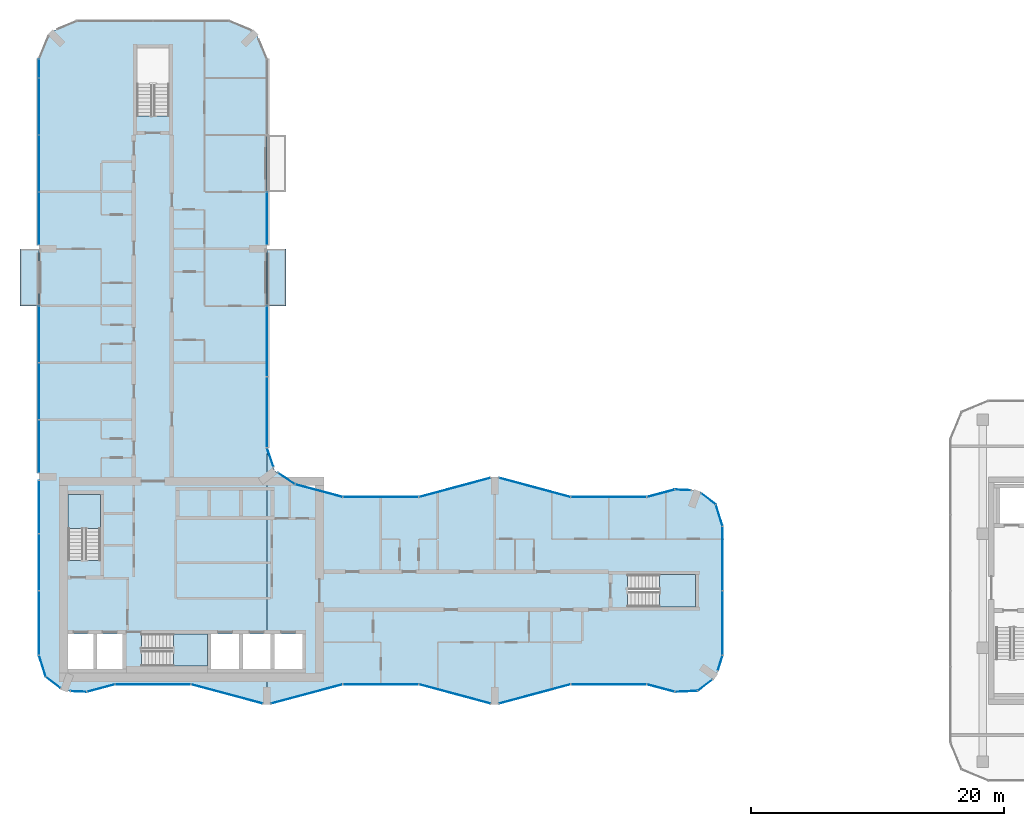
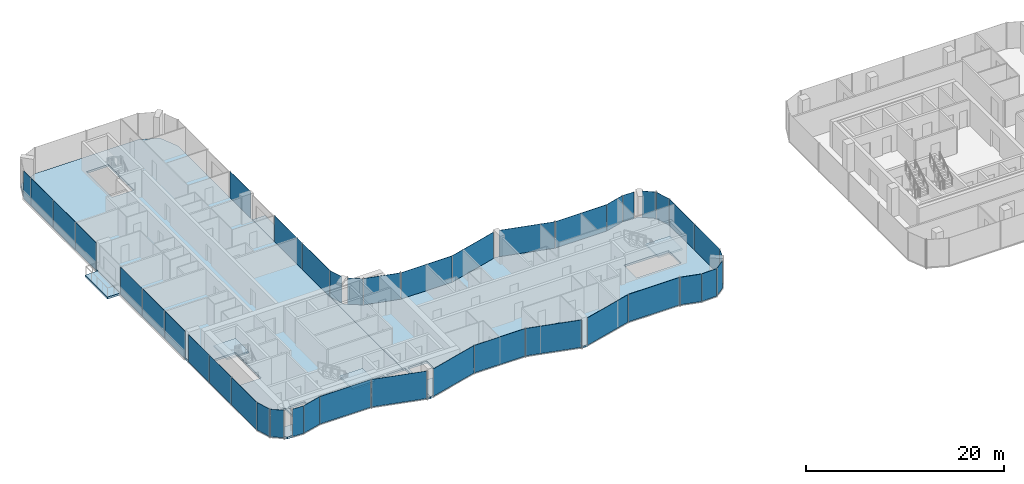
# One storey, part 11 of 22: 41 plates, 7 slabs, 35 elements without a shape of their own.
"""IFC4 building model written with IfcOpenShell, lengths in metres."""

from ifc_helpers import new_model, si_unit, direction, frame, origin, origin_2d, place, context, subcontext, project, spatial, polyline, rectangle, outline, extrude, material, layer, layer_set, type_object, element, aggregate, save


model = new_model("IFC4")

# Units and contexts
model_context = context("Model", 3, precision=1e-05, world=origin(), true_north=direction((0.0, 1.0)))
body_context = subcontext(model_context, "Body", "Model", "MODEL_VIEW")
ifc_project = project(units=[si_unit("LENGTHUNIT", "METRE"), si_unit("AREAUNIT", "SQUARE_METRE"), si_unit("VOLUMEUNIT", "CUBIC_METRE"), si_unit("PLANEANGLEUNIT", "RADIAN"), si_unit("MASSUNIT", "GRAM", prefix="KILO")], contexts=[model_context])

# Site, building, storey
site_placement = place(None, origin())
site = spatial("IfcSite", under=ifc_project, at=site_placement, CompositionType="ELEMENT")
building_placement = place(site_placement, origin())
building = spatial("IfcBuilding", under=site, at=building_placement, Name="Plateau Cross Towers", CompositionType="ELEMENT")
storey_placement = place(building_placement, frame((0.0, 0.0, 65.300048828125)))
storey = spatial("IfcBuildingStorey", under=building, at=storey_placement, Name="L16", CompositionType="ELEMENT", Elevation=65.300048828125)

# Slabs
ifc_material_1 = material(Name="Concrete C40/50", Category="concrete")
ifc_layer_1 = layer(ifc_material_1, 0.25)
ifc_layer_set_1 = layer_set([ifc_layer_1], Name="Concrete C40/50")
slab_type_1 = type_object("IfcSlabType", Name="Balcony slab 250", PredefinedType="FLOOR", material=ifc_layer_set_1)
slab_1_placement = place(storey_placement, frame((0.0, 0.0, -0.25)))
element("IfcSlab", 1, at=slab_1_placement, inside=storey, type_object=slab_type_1, Name="Balcony slab A-BAL-L16-01", PredefinedType="FLOOR", context=body_context, shape_type="SweptSolid", body=[
    extrude(outline(polyline([(0.0, 31.5), (0.0, 36.0), (-1.5, 36.0), (-1.5, 31.5), (0.0, 31.5)])), origin(), (0.0, 0.0, 1.0), 0.25),
])
slab_2_placement = place(storey_placement, frame((0.0, 0.0, -0.25)))
element("IfcSlab", 2, at=slab_2_placement, inside=storey, type_object=slab_type_1, Name="Balcony slab A-BAL-L16-02", PredefinedType="FLOOR", context=body_context, shape_type="SweptSolid", body=[
    extrude(outline(polyline([(19.5, 31.5), (19.5, 36.0), (18.0, 36.0), (18.0, 31.5), (19.5, 31.5)])), origin(), (0.0, 0.0, 1.0), 0.25),
])

# Curtain wall, plate
ifc_material_2 = material(Name="Dark low-iron glass", Category="glass")
ifc_layer_2 = layer(ifc_material_2, 0.239990234375)
ifc_layer_set_2 = layer_set([ifc_layer_2], Name="Dark low-iron glass")
curtain_wall_type_1 = type_object("IfcCurtainWallType", Name="Curtain wall flush unitised CW-B", PredefinedType="NOTDEFINED", material=ifc_layer_set_2)
curtain_wall_1_placement = place(storey_placement, origin())
curtain_wall_1 = element("IfcCurtainWall", 3, at=curtain_wall_1_placement, inside=storey, type_object=curtain_wall_type_1, Name="ENV/A/L16/A502_10", PredefinedType="NOTDEFINED")
ifc_layer_3 = layer(ifc_material_2, 0.031982421875)
ifc_layer_set_3 = layer_set([ifc_layer_3], Name="Dark low-iron glass")
plate_type_1 = type_object("IfcPlateType", Name="Glass panel 32 flush unitised", PredefinedType="CURTAIN_PANEL", material=ifc_layer_set_3)
plate_1_placement = place(storey_placement, frame((51.125, 1.05078125, -0.1298828125), z_axis=(0.0, 0.0, 1.0), x_axis=(0.999043701491, 0.043722791671, 0.0)))
plate_1 = element("IfcPlate", 4, at=plate_1_placement, type_object=plate_type_1, Name="CW-B panel 1", PredefinedType="CURTAIN_PANEL", context=body_context, shape_type="SweptSolid", body=[
    extrude(rectangle(XDim=1.744140625, YDim=0.031982421875, at=origin_2d()), origin(), (0.0, 0.0, 1.0), 3.3798828125),
])
aggregate(curtain_wall_1, [plate_1])

curtain_wall_2_placement = place(storey_placement, origin())
curtain_wall_2 = element("IfcCurtainWall", 5, at=curtain_wall_2_placement, inside=storey, type_object=curtain_wall_type_1, Name="ENV/A/L16/A520_11", PredefinedType="NOTDEFINED")
plate_2_placement = place(storey_placement, frame((52.60986328125, 1.5380859375, -0.1298828125), z_axis=(0.0, 0.0, 1.0), x_axis=(0.793315514529, 0.608810721331, 0.0)))
plate_2 = element("IfcPlate", 6, at=plate_2_placement, type_object=plate_type_1, Name="CW-B panel 1", PredefinedType="CURTAIN_PANEL", context=body_context, shape_type="SweptSolid", body=[
    extrude(rectangle(XDim=1.41162109375, YDim=0.031982421875, at=origin_2d()), origin(), (0.0, 0.0, 1.0), 3.3798828125),
])
aggregate(curtain_wall_2, [plate_2])

curtain_wall_3_placement = place(storey_placement, origin())
curtain_wall_3 = element("IfcCurtainWall", 7, at=curtain_wall_3_placement, inside=storey, type_object=curtain_wall_type_1, Name="ENV/A/L16/A536_27", PredefinedType="NOTDEFINED")
plate_3_placement = place(storey_placement, frame((53.805419921875, 3.292236328125, -0.1298828125), z_axis=(0.0, 0.0, 1.0), x_axis=(0.300686174994, 0.95372313811, 0.0)))
plate_3 = element("IfcPlate", 8, at=plate_3_placement, type_object=plate_type_1, Name="CW-B panel 1", PredefinedType="CURTAIN_PANEL", context=body_context, shape_type="SweptSolid", body=[
    extrude(rectangle(XDim=1.233642578125, YDim=0.031982421875, at=origin_2d()), origin(), (0.0, 0.0, 1.0), 3.3798828125),
])
aggregate(curtain_wall_3, [plate_3])

# Curtain wall, plates
curtain_wall_4_placement = place(storey_placement, origin())
curtain_wall_4 = element("IfcCurtainWall", 9, at=curtain_wall_4_placement, inside=storey, type_object=curtain_wall_type_1, Name="ENV/A/L16/A540_39", PredefinedType="NOTDEFINED")
plate_4_placement = place(storey_placement, frame((54.0, 6.45458984375, -0.1298828125), z_axis=(0.0, 0.0, 1.0), x_axis=(0.0, 1.0, 0.0)))
plate_4 = element("IfcPlate", 10, at=plate_4_placement, type_object=plate_type_1, Name="CW-B panel 1", PredefinedType="CURTAIN_PANEL", context=body_context, shape_type="SweptSolid", body=[
    extrude(rectangle(XDim=5.03076171875, YDim=0.031982421875, at=origin_2d()), origin(), (0.0, 0.0, 1.0), 3.3798828125),
])
plate_5_placement = place(storey_placement, frame((54.0, 11.54541015625, -0.1298828125), z_axis=(0.0, 0.0, 1.0), x_axis=(0.0, 1.0, 0.0)))
plate_5 = element("IfcPlate", 11, at=plate_5_placement, type_object=plate_type_1, Name="CW-B panel 2", PredefinedType="CURTAIN_PANEL", context=body_context, shape_type="SweptSolid", body=[
    extrude(rectangle(XDim=5.03076171875, YDim=0.031982421875, at=origin_2d()), origin(), (0.0, 0.0, 1.0), 3.3798828125),
])
aggregate(curtain_wall_4, [plate_4, plate_5])

# Curtain wall, plate
curtain_wall_5_placement = place(storey_placement, origin())
curtain_wall_5 = element("IfcCurtainWall", 12, at=curtain_wall_5_placement, inside=storey, type_object=curtain_wall_type_1, Name="ENV/A/L16/A540_141", PredefinedType="NOTDEFINED")
plate_6_placement = place(storey_placement, frame((53.728759765625, 14.951171875, -0.1298828125), z_axis=(0.0, 0.0, 1.0), x_axis=(-0.300686174994, 0.95372313811, 0.0)))
plate_6 = element("IfcPlate", 13, at=plate_6_placement, type_object=plate_type_1, Name="CW-B panel 1", PredefinedType="CURTAIN_PANEL", context=body_context, shape_type="SweptSolid", body=[
    extrude(rectangle(XDim=1.744140625, YDim=0.031982421875, at=origin_2d()), origin(), (0.0, 0.0, 1.0), 3.3798828125),
])
aggregate(curtain_wall_5, [plate_6])

curtain_wall_6_placement = place(storey_placement, origin())
curtain_wall_6 = element("IfcCurtainWall", 14, at=curtain_wall_6_placement, inside=storey, type_object=curtain_wall_type_1, Name="ENV/A/L16/A535_158", PredefinedType="NOTDEFINED")
plate_7_placement = place(storey_placement, frame((52.873779296875, 16.25927734375, -0.1298828125), z_axis=(0.0, 0.0, 1.0), x_axis=(-0.793315514529, 0.608810721331, 0.0)))
plate_7 = element("IfcPlate", 15, at=plate_7_placement, type_object=plate_type_1, Name="CW-B panel 1", PredefinedType="CURTAIN_PANEL", context=body_context, shape_type="SweptSolid", body=[
    extrude(rectangle(XDim=1.41162109375, YDim=0.031982421875, at=origin_2d()), origin(), (0.0, 0.0, 1.0), 3.3798828125),
])
aggregate(curtain_wall_6, [plate_7])

curtain_wall_7_placement = place(storey_placement, origin())
curtain_wall_7 = element("IfcCurtainWall", 16, at=curtain_wall_7_placement, inside=storey, type_object=curtain_wall_type_1, Name="ENV/A/L16/A515_169", PredefinedType="NOTDEFINED")
plate_8_placement = place(storey_placement, frame((50.8701171875, 16.96044921875, -0.1298828125), z_axis=(0.0, 0.0, 1.0), x_axis=(-0.999043701491, 0.043722791671, 0.0)))
plate_8 = element("IfcPlate", 17, at=plate_8_placement, type_object=plate_type_1, Name="CW-B panel 1", PredefinedType="CURTAIN_PANEL", context=body_context, shape_type="SweptSolid", body=[
    extrude(rectangle(XDim=1.233642578125, YDim=0.031982421875, at=origin_2d()), origin(), (0.0, 0.0, 1.0), 3.3798828125),
])
aggregate(curtain_wall_7, [plate_8])

curtain_wall_8_placement = place(storey_placement, origin())
curtain_wall_8 = element("IfcCurtainWall", 18, at=curtain_wall_8_placement, inside=storey, type_object=curtain_wall_type_1, Name="ENV/A/L16/A202_174", PredefinedType="NOTDEFINED")
plate_9_placement = place(storey_placement, frame((19.546630859375, 17.856689453125, -0.1298828125), z_axis=(0.0, 0.0, 1.0), x_axis=(-0.831521253329, 0.555492938984, 0.0)))
plate_9 = element("IfcPlate", 19, at=plate_9_placement, type_object=plate_type_1, Name="CW-B panel 1", PredefinedType="CURTAIN_PANEL", context=body_context, shape_type="SweptSolid", body=[
    extrude(rectangle(XDim=1.56884765625, YDim=0.031982421875, at=origin_2d()), origin(), (0.0, 0.0, 1.0), 3.3798828125),
])
aggregate(curtain_wall_8, [plate_9])

curtain_wall_9_placement = place(storey_placement, origin())
curtain_wall_9 = element("IfcCurtainWall", 20, at=curtain_wall_9_placement, inside=storey, type_object=curtain_wall_type_1, Name="ENV/A/L16/A185_188", PredefinedType="NOTDEFINED")
plate_10_placement = place(storey_placement, frame((18.26171875, 19.531005859375, -0.1298828125), z_axis=(0.0, 0.0, 1.0), x_axis=(-0.321469161574, 0.94692004845, 0.0)))
plate_10 = element("IfcPlate", 21, at=plate_10_placement, type_object=plate_type_1, Name="CW-B panel 1", PredefinedType="CURTAIN_PANEL", context=body_context, shape_type="SweptSolid", body=[
    extrude(rectangle(XDim=1.56884765625, YDim=0.031982421875, at=origin_2d()), origin(), (0.0, 0.0, 1.0), 3.3798828125),
])
aggregate(curtain_wall_9, [plate_10])

# Curtain wall, plates
curtain_wall_10_placement = place(storey_placement, origin())
curtain_wall_10 = element("IfcCurtainWall", 22, at=curtain_wall_10_placement, inside=storey, type_object=curtain_wall_type_1, Name="ENV/A/L16/A180_203", PredefinedType="NOTDEFINED")
plate_11_placement = place(storey_placement, frame((18.0, 23.09912109375, -0.1298828125), z_axis=(0.0, 0.0, 1.0), x_axis=(0.0, 1.0, 0.0)))
plate_11 = element("IfcPlate", 23, at=plate_11_placement, type_object=plate_type_1, Name="CW-B panel 1", PredefinedType="CURTAIN_PANEL", context=body_context, shape_type="SweptSolid", body=[
    extrude(rectangle(XDim=5.533935546875, YDim=0.031982421875, at=origin_2d()), origin(), (0.0, 0.0, 1.0), 3.3798828125),
])
plate_12_placement = place(storey_placement, frame((18.0, 28.693115234375, -0.1298828125), z_axis=(0.0, 0.0, 1.0), x_axis=(0.0, 1.0, 0.0)))
plate_12 = element("IfcPlate", 24, at=plate_12_placement, type_object=plate_type_1, Name="CW-B panel 2", PredefinedType="CURTAIN_PANEL", context=body_context, shape_type="SweptSolid", body=[
    extrude(rectangle(XDim=5.533935546875, YDim=0.031982421875, at=origin_2d()), origin(), (0.0, 0.0, 1.0), 3.3798828125),
])
aggregate(curtain_wall_10, [plate_11, plate_12])

# Curtain wall, plate
curtain_wall_11_placement = place(storey_placement, origin())
curtain_wall_11 = element("IfcCurtainWall", 25, at=curtain_wall_11_placement, inside=storey, type_object=curtain_wall_type_1, Name="ENV/A/L16/A180_363", PredefinedType="NOTDEFINED")
plate_13_placement = place(storey_placement, frame((18.0, 38.39501953125, -0.1298828125), z_axis=(0.0, 0.0, 1.0), x_axis=(0.0, 1.0, 0.0)))
plate_13 = element("IfcPlate", 26, at=plate_13_placement, type_object=plate_type_1, Name="CW-B panel 1", PredefinedType="CURTAIN_PANEL", context=body_context, shape_type="SweptSolid", body=[
    extrude(rectangle(XDim=4.1298828125, YDim=0.031982421875, at=origin_2d()), origin(), (0.0, 0.0, 1.0), 3.3798828125),
])
aggregate(curtain_wall_11, [plate_13])

# Curtain wall, plates
curtain_wall_12_placement = place(storey_placement, origin())
curtain_wall_12 = element("IfcCurtainWall", 27, at=curtain_wall_12_placement, inside=storey, type_object=curtain_wall_type_1, Name="ENV/A/L16/A0_510", PredefinedType="NOTDEFINED")
plate_14_placement = place(storey_placement, frame((0.0, 50.25, -0.1298828125), z_axis=(0.0, 0.0, 1.0), x_axis=(0.0, -1.0, 0.0)))
plate_14 = element("IfcPlate", 28, at=plate_14_placement, type_object=plate_type_1, Name="CW-B panel 1", PredefinedType="CURTAIN_PANEL", context=body_context, shape_type="SweptSolid", body=[
    extrude(rectangle(XDim=1.43994140625, YDim=0.031982421875, at=origin_2d()), origin(), (0.0, 0.0, 1.0), 3.3798828125),
])
plate_15_placement = place(storey_placement, frame((0.0, 47.25, -0.1298828125), z_axis=(0.0, 0.0, 1.0), x_axis=(0.0, -1.0, 0.0)))
plate_15 = element("IfcPlate", 29, at=plate_15_placement, type_object=plate_type_1, Name="CW-B panel 2", PredefinedType="CURTAIN_PANEL", context=body_context, shape_type="SweptSolid", body=[
    extrude(rectangle(XDim=4.43994140625, YDim=0.031982421875, at=origin_2d()), origin(), (0.0, 0.0, 1.0), 3.3798828125),
])
plate_16_placement = place(storey_placement, frame((0.0, 42.75, -0.1298828125), z_axis=(0.0, 0.0, 1.0), x_axis=(0.0, -1.0, 0.0)))
plate_16 = element("IfcPlate", 30, at=plate_16_placement, type_object=plate_type_1, Name="CW-B panel 3", PredefinedType="CURTAIN_PANEL", context=body_context, shape_type="SweptSolid", body=[
    extrude(rectangle(XDim=4.43994140625, YDim=0.031982421875, at=origin_2d()), origin(), (0.0, 0.0, 1.0), 3.3798828125),
])
plate_17_placement = place(storey_placement, frame((0.0, 38.39990234375, -0.1298828125), z_axis=(0.0, 0.0, 1.0), x_axis=(0.0, -1.0, 0.0)))
plate_17 = element("IfcPlate", 31, at=plate_17_placement, type_object=plate_type_1, Name="CW-B panel 4", PredefinedType="CURTAIN_PANEL", context=body_context, shape_type="SweptSolid", body=[
    extrude(rectangle(XDim=4.139892578125, YDim=0.031982421875, at=origin_2d()), origin(), (0.0, 0.0, 1.0), 3.3798828125),
])
aggregate(curtain_wall_12, [plate_14, plate_15, plate_16, plate_17])

curtain_wall_13_placement = place(storey_placement, origin())
curtain_wall_13 = element("IfcCurtainWall", 32, at=curtain_wall_13_placement, inside=storey, type_object=curtain_wall_type_1, Name="ENV/A/L16/A0_315", PredefinedType="NOTDEFINED")
plate_18_placement = place(storey_placement, frame((0.0, 29.2451171875, -0.1298828125), z_axis=(0.0, 0.0, 1.0), x_axis=(0.0, -1.0, 0.0)))
plate_18 = element("IfcPlate", 33, at=plate_18_placement, type_object=plate_type_1, Name="CW-B panel 1", PredefinedType="CURTAIN_PANEL", context=body_context, shape_type="SweptSolid", body=[
    extrude(rectangle(XDim=4.429931640625, YDim=0.031982421875, at=origin_2d()), origin(), (0.0, 0.0, 1.0), 3.3798828125),
])
plate_19_placement = place(storey_placement, frame((0.0, 24.75, -0.1298828125), z_axis=(0.0, 0.0, 1.0), x_axis=(0.0, -1.0, 0.0)))
plate_19 = element("IfcPlate", 34, at=plate_19_placement, type_object=plate_type_1, Name="CW-B panel 2", PredefinedType="CURTAIN_PANEL", context=body_context, shape_type="SweptSolid", body=[
    extrude(rectangle(XDim=4.43994140625, YDim=0.031982421875, at=origin_2d()), origin(), (0.0, 0.0, 1.0), 3.3798828125),
])
plate_20_placement = place(storey_placement, frame((0.0, 20.39990234375, -0.1298828125), z_axis=(0.0, 0.0, 1.0), x_axis=(0.0, -1.0, 0.0)))
plate_20 = element("IfcPlate", 35, at=plate_20_placement, type_object=plate_type_1, Name="CW-B panel 3", PredefinedType="CURTAIN_PANEL", context=body_context, shape_type="SweptSolid", body=[
    extrude(rectangle(XDim=4.139892578125, YDim=0.031982421875, at=origin_2d()), origin(), (0.0, 0.0, 1.0), 3.3798828125),
])
aggregate(curtain_wall_13, [plate_18, plate_19, plate_20])

curtain_wall_14_placement = place(storey_placement, origin())
curtain_wall_14 = element("IfcCurtainWall", 36, at=curtain_wall_14_placement, inside=storey, type_object=curtain_wall_type_1, Name="ENV/A/L16/A0_177", PredefinedType="NOTDEFINED")
plate_21_placement = place(storey_placement, frame((0.0, 15.60009765625, -0.1298828125), z_axis=(0.0, 0.0, 1.0), x_axis=(0.0, -1.0, 0.0)))
plate_21 = element("IfcPlate", 37, at=plate_21_placement, type_object=plate_type_1, Name="CW-B panel 1", PredefinedType="CURTAIN_PANEL", context=body_context, shape_type="SweptSolid", body=[
    extrude(rectangle(XDim=4.139892578125, YDim=0.031982421875, at=origin_2d()), origin(), (0.0, 0.0, 1.0), 3.3798828125),
])
plate_22_placement = place(storey_placement, frame((0.0, 11.25, -0.1298828125), z_axis=(0.0, 0.0, 1.0), x_axis=(0.0, -1.0, 0.0)))
plate_22 = element("IfcPlate", 38, at=plate_22_placement, type_object=plate_type_1, Name="CW-B panel 2", PredefinedType="CURTAIN_PANEL", context=body_context, shape_type="SweptSolid", body=[
    extrude(rectangle(XDim=4.43994140625, YDim=0.031982421875, at=origin_2d()), origin(), (0.0, 0.0, 1.0), 3.3798828125),
])
plate_23_placement = place(storey_placement, frame((0.0, 6.45458984375, -0.1298828125), z_axis=(0.0, 0.0, 1.0), x_axis=(0.0, -1.0, 0.0)))
plate_23 = element("IfcPlate", 39, at=plate_23_placement, type_object=plate_type_1, Name="CW-B panel 3", PredefinedType="CURTAIN_PANEL", context=body_context, shape_type="SweptSolid", body=[
    extrude(rectangle(XDim=5.03076171875, YDim=0.031982421875, at=origin_2d()), origin(), (0.0, 0.0, 1.0), 3.3798828125),
])
aggregate(curtain_wall_14, [plate_21, plate_22, plate_23])

# Curtain wall, plate
curtain_wall_15_placement = place(storey_placement, origin())
curtain_wall_15 = element("IfcCurtainWall", 40, at=curtain_wall_15_placement, inside=storey, type_object=curtain_wall_type_1, Name="ENV/A/L16/A0_39", PredefinedType="NOTDEFINED")
plate_24_placement = place(storey_placement, frame((0.271240234375, 3.048828125, -0.1298828125), z_axis=(0.0, 0.0, 1.0), x_axis=(0.300686174994, -0.95372313811, 0.0)))
plate_24 = element("IfcPlate", 41, at=plate_24_placement, type_object=plate_type_1, Name="CW-B panel 1", PredefinedType="CURTAIN_PANEL", context=body_context, shape_type="SweptSolid", body=[
    extrude(rectangle(XDim=1.744140625, YDim=0.031982421875, at=origin_2d()), origin(), (0.0, 0.0, 1.0), 3.3798828125),
])
aggregate(curtain_wall_15, [plate_24])

curtain_wall_16_placement = place(storey_placement, origin())
curtain_wall_16 = element("IfcCurtainWall", 42, at=curtain_wall_16_placement, inside=storey, type_object=curtain_wall_type_1, Name="ENV/A/L16/A5_22", PredefinedType="NOTDEFINED")
plate_25_placement = place(storey_placement, frame((1.126220703125, 1.74072265625, -0.1298828125), z_axis=(0.0, 0.0, 1.0), x_axis=(0.793315514529, -0.608810721331, 0.0)))
plate_25 = element("IfcPlate", 43, at=plate_25_placement, type_object=plate_type_1, Name="CW-B panel 1", PredefinedType="CURTAIN_PANEL", context=body_context, shape_type="SweptSolid", body=[
    extrude(rectangle(XDim=1.41162109375, YDim=0.031982421875, at=origin_2d()), origin(), (0.0, 0.0, 1.0), 3.3798828125),
])
aggregate(curtain_wall_16, [plate_25])

curtain_wall_17_placement = place(storey_placement, origin())
curtain_wall_17 = element("IfcCurtainWall", 44, at=curtain_wall_17_placement, inside=storey, type_object=curtain_wall_type_1, Name="ENV/A/L16/A25_11", PredefinedType="NOTDEFINED")
plate_26_placement = place(storey_placement, frame((3.1298828125, 1.03955078125, -0.1298828125), z_axis=(0.0, 0.0, 1.0), x_axis=(0.999043701491, -0.043722791671, 0.0)))
plate_26 = element("IfcPlate", 45, at=plate_26_placement, type_object=plate_type_1, Name="CW-B panel 1", PredefinedType="CURTAIN_PANEL", context=body_context, shape_type="SweptSolid", body=[
    extrude(rectangle(XDim=1.233642578125, YDim=0.031982421875, at=origin_2d()), origin(), (0.0, 0.0, 1.0), 3.3798828125),
])
aggregate(curtain_wall_17, [plate_26])

ifc_layer_4 = layer(ifc_material_2, 0.260009765625)
ifc_layer_set_4 = layer_set([ifc_layer_4], Name="Dark low-iron glass")
curtain_wall_type_2 = type_object("IfcCurtainWallType", Name="Curtain wall fluted unitised CW-A", PredefinedType="NOTDEFINED", material=ifc_layer_set_4)
curtain_wall_18_placement = place(storey_placement, origin())
curtain_wall_18 = element("IfcCurtainWall", 46, at=curtain_wall_18_placement, inside=storey, type_object=curtain_wall_type_2, Name="ENV/A/L16/A38_10", PredefinedType="NOTDEFINED")
ifc_layer_5 = layer(ifc_material_2, 0.035888671875)
ifc_layer_set_5 = layer_set([ifc_layer_5], Name="Dark low-iron glass")
plate_type_2 = type_object("IfcPlateType", Name="Glass panel 36 fluted unitised", PredefinedType="CURTAIN_PANEL", material=ifc_layer_set_5)
plate_27_placement = place(storey_placement, frame((4.887939453125, 1.30908203125, -0.1298828125), z_axis=(0.0, 0.0, 1.0), x_axis=(0.965957962328, 0.258699081978, 0.0)))
plate_27 = element("IfcPlate", 47, at=plate_27_placement, type_object=plate_type_2, Name="CW-A panel 1", PredefinedType="CURTAIN_PANEL", context=body_context, shape_type="SweptSolid", body=[
    extrude(rectangle(XDim=2.2421875, YDim=0.035888671875, at=origin_2d()), origin(), (0.0, 0.0, 1.0), 3.3798828125),
])
aggregate(curtain_wall_18, [plate_27])

curtain_wall_19_placement = place(storey_placement, origin())
curtain_wall_19 = element("IfcCurtainWall", 48, at=curtain_wall_19_placement, inside=storey, type_object=curtain_wall_type_2, Name="ENV/A/L16/A60_16", PredefinedType="NOTDEFINED")
plate_28_placement = place(storey_placement, frame((9.0, 1.60693359375, -0.1298828125), z_axis=(0.0, 0.0, 1.0), x_axis=(1.0, 0.0, 0.0)))
plate_28 = element("IfcPlate", 49, at=plate_28_placement, type_object=plate_type_2, Name="CW-A panel 1", PredefinedType="CURTAIN_PANEL", context=body_context, shape_type="SweptSolid", body=[
    extrude(rectangle(XDim=5.93994140625, YDim=0.035888671875, at=origin_2d()), origin(), (0.0, 0.0, 1.0), 3.3798828125),
])
aggregate(curtain_wall_19, [plate_28])

curtain_wall_20_placement = place(storey_placement, origin())
curtain_wall_20 = element("IfcCurtainWall", 50, at=curtain_wall_20_placement, inside=storey, type_object=curtain_wall_type_2, Name="ENV/A/L16/A120_16", PredefinedType="NOTDEFINED")
plate_29_placement = place(storey_placement, frame((14.841064453125, 0.845947265625, -0.1298828125), z_axis=(0.0, 0.0, 1.0), x_axis=(0.965957983404, -0.258699003279, 0.0)))
plate_29 = element("IfcPlate", 51, at=plate_29_placement, type_object=plate_type_2, Name="CW-A panel 1", PredefinedType="CURTAIN_PANEL", context=body_context, shape_type="SweptSolid", body=[
    extrude(rectangle(XDim=5.822265625, YDim=0.035888671875, at=origin_2d()), origin(), (0.0, 0.0, 1.0), 3.3798828125),
])
aggregate(curtain_wall_20, [plate_29])

curtain_wall_21_placement = place(storey_placement, origin())
curtain_wall_21 = element("IfcCurtainWall", 52, at=curtain_wall_21_placement, inside=storey, type_object=curtain_wall_type_2, Name="ENV/A/L16/A183_1", PredefinedType="NOTDEFINED")
plate_30_placement = place(storey_placement, frame((21.158935546875, 0.845947265625, -0.1298828125), z_axis=(0.0, 0.0, 1.0), x_axis=(0.965957983404, 0.258699003279, 0.0)))
plate_30 = element("IfcPlate", 53, at=plate_30_placement, type_object=plate_type_2, Name="CW-A panel 1", PredefinedType="CURTAIN_PANEL", context=body_context, shape_type="SweptSolid", body=[
    extrude(rectangle(XDim=5.822265625, YDim=0.035888671875, at=origin_2d()), origin(), (0.0, 0.0, 1.0), 3.3798828125),
])
aggregate(curtain_wall_21, [plate_30])

curtain_wall_22_placement = place(storey_placement, origin())
curtain_wall_22 = element("IfcCurtainWall", 54, at=curtain_wall_22_placement, inside=storey, type_object=curtain_wall_type_2, Name="ENV/A/L16/A240_16", PredefinedType="NOTDEFINED")
plate_31_placement = place(storey_placement, frame((27.0, 1.60693359375, -0.1298828125), z_axis=(0.0, 0.0, 1.0), x_axis=(1.0, 0.0, 0.0)))
plate_31 = element("IfcPlate", 55, at=plate_31_placement, type_object=plate_type_2, Name="CW-A panel 1", PredefinedType="CURTAIN_PANEL", context=body_context, shape_type="SweptSolid", body=[
    extrude(rectangle(XDim=5.93994140625, YDim=0.035888671875, at=origin_2d()), origin(), (0.0, 0.0, 1.0), 3.3798828125),
])
aggregate(curtain_wall_22, [plate_31])

curtain_wall_23_placement = place(storey_placement, origin())
curtain_wall_23 = element("IfcCurtainWall", 56, at=curtain_wall_23_placement, inside=storey, type_object=curtain_wall_type_2, Name="ENV/A/L16/A300_16", PredefinedType="NOTDEFINED")
plate_32_placement = place(storey_placement, frame((32.841064453125, 0.845947265625, -0.1298828125), z_axis=(0.0, 0.0, 1.0), x_axis=(0.965957983404, -0.258699003279, 0.0)))
plate_32 = element("IfcPlate", 57, at=plate_32_placement, type_object=plate_type_2, Name="CW-A panel 1", PredefinedType="CURTAIN_PANEL", context=body_context, shape_type="SweptSolid", body=[
    extrude(rectangle(XDim=5.822265625, YDim=0.035888671875, at=origin_2d()), origin(), (0.0, 0.0, 1.0), 3.3798828125),
])
aggregate(curtain_wall_23, [plate_32])

curtain_wall_24_placement = place(storey_placement, origin())
curtain_wall_24 = element("IfcCurtainWall", 58, at=curtain_wall_24_placement, inside=storey, type_object=curtain_wall_type_2, Name="ENV/A/L16/A363_1", PredefinedType="NOTDEFINED")
plate_33_placement = place(storey_placement, frame((39.158935546875, 0.845947265625, -0.1298828125), z_axis=(0.0, 0.0, 1.0), x_axis=(0.965957983404, 0.258699003279, 0.0)))
plate_33 = element("IfcPlate", 59, at=plate_33_placement, type_object=plate_type_2, Name="CW-A panel 1", PredefinedType="CURTAIN_PANEL", context=body_context, shape_type="SweptSolid", body=[
    extrude(rectangle(XDim=5.822265625, YDim=0.035888671875, at=origin_2d()), origin(), (0.0, 0.0, 1.0), 3.3798828125),
])
aggregate(curtain_wall_24, [plate_33])

curtain_wall_25_placement = place(storey_placement, origin())
curtain_wall_25 = element("IfcCurtainWall", 60, at=curtain_wall_25_placement, inside=storey, type_object=curtain_wall_type_2, Name="ENV/A/L16/A420_16", PredefinedType="NOTDEFINED")
plate_34_placement = place(storey_placement, frame((45.0, 1.60693359375, -0.1298828125), z_axis=(0.0, 0.0, 1.0), x_axis=(1.0, 0.0, 0.0)))
plate_34 = element("IfcPlate", 61, at=plate_34_placement, type_object=plate_type_2, Name="CW-A panel 1", PredefinedType="CURTAIN_PANEL", context=body_context, shape_type="SweptSolid", body=[
    extrude(rectangle(XDim=5.93994140625, YDim=0.035888671875, at=origin_2d()), origin(), (0.0, 0.0, 1.0), 3.3798828125),
])
aggregate(curtain_wall_25, [plate_34])

curtain_wall_26_placement = place(storey_placement, origin())
curtain_wall_26 = element("IfcCurtainWall", 62, at=curtain_wall_26_placement, inside=storey, type_object=curtain_wall_type_2, Name="ENV/A/L16/A480_16", PredefinedType="NOTDEFINED")
plate_35_placement = place(storey_placement, frame((49.112060546875, 1.30908203125, -0.1298828125), z_axis=(0.0, 0.0, 1.0), x_axis=(0.965957962328, -0.258699081978, 0.0)))
plate_35 = element("IfcPlate", 63, at=plate_35_placement, type_object=plate_type_2, Name="CW-A panel 1", PredefinedType="CURTAIN_PANEL", context=body_context, shape_type="SweptSolid", body=[
    extrude(rectangle(XDim=2.2421875, YDim=0.035888671875, at=origin_2d()), origin(), (0.0, 0.0, 1.0), 3.3798828125),
])
aggregate(curtain_wall_26, [plate_35])

curtain_wall_27_placement = place(storey_placement, origin())
curtain_wall_27 = element("IfcCurtainWall", 64, at=curtain_wall_27_placement, inside=storey, type_object=curtain_wall_type_2, Name="ENV/A/L16/A502_170", PredefinedType="NOTDEFINED")
plate_36_placement = place(storey_placement, frame((49.112060546875, 16.69091796875, -0.1298828125), z_axis=(0.0, 0.0, 1.0), x_axis=(-0.965957962328, -0.258699081978, 0.0)))
plate_36 = element("IfcPlate", 65, at=plate_36_placement, type_object=plate_type_2, Name="CW-A panel 1", PredefinedType="CURTAIN_PANEL", context=body_context, shape_type="SweptSolid", body=[
    extrude(rectangle(XDim=2.2421875, YDim=0.035888671875, at=origin_2d()), origin(), (0.0, 0.0, 1.0), 3.3798828125),
])
aggregate(curtain_wall_27, [plate_36])

curtain_wall_28_placement = place(storey_placement, origin())
curtain_wall_28 = element("IfcCurtainWall", 66, at=curtain_wall_28_placement, inside=storey, type_object=curtain_wall_type_2, Name="ENV/A/L16/A480_164", PredefinedType="NOTDEFINED")
plate_37_placement = place(storey_placement, frame((45.0, 16.39306640625, -0.1298828125), z_axis=(0.0, 0.0, 1.0), x_axis=(-1.0, 0.0, 0.0)))
plate_37 = element("IfcPlate", 67, at=plate_37_placement, type_object=plate_type_2, Name="CW-A panel 1", PredefinedType="CURTAIN_PANEL", context=body_context, shape_type="SweptSolid", body=[
    extrude(rectangle(XDim=5.93994140625, YDim=0.035888671875, at=origin_2d()), origin(), (0.0, 0.0, 1.0), 3.3798828125),
])
aggregate(curtain_wall_28, [plate_37])

curtain_wall_29_placement = place(storey_placement, origin())
curtain_wall_29 = element("IfcCurtainWall", 68, at=curtain_wall_29_placement, inside=storey, type_object=curtain_wall_type_2, Name="ENV/A/L16/A420_164", PredefinedType="NOTDEFINED")
plate_38_placement = place(storey_placement, frame((39.158935546875, 17.154052734375, -0.1298828125), z_axis=(0.0, 0.0, 1.0), x_axis=(-0.965957983404, 0.258699003279, 0.0)))
plate_38 = element("IfcPlate", 69, at=plate_38_placement, type_object=plate_type_2, Name="CW-A panel 1", PredefinedType="CURTAIN_PANEL", context=body_context, shape_type="SweptSolid", body=[
    extrude(rectangle(XDim=5.822265625, YDim=0.035888671875, at=origin_2d()), origin(), (0.0, 0.0, 1.0), 3.3798828125),
])
aggregate(curtain_wall_29, [plate_38])

curtain_wall_30_placement = place(storey_placement, origin())
curtain_wall_30 = element("IfcCurtainWall", 70, at=curtain_wall_30_placement, inside=storey, type_object=curtain_wall_type_2, Name="ENV/A/L16/A357_179", PredefinedType="NOTDEFINED")
plate_39_placement = place(storey_placement, frame((32.841064453125, 17.154052734375, -0.1298828125), z_axis=(0.0, 0.0, 1.0), x_axis=(-0.965957983404, -0.258699003279, 0.0)))
plate_39 = element("IfcPlate", 71, at=plate_39_placement, type_object=plate_type_2, Name="CW-A panel 1", PredefinedType="CURTAIN_PANEL", context=body_context, shape_type="SweptSolid", body=[
    extrude(rectangle(XDim=5.822265625, YDim=0.035888671875, at=origin_2d()), origin(), (0.0, 0.0, 1.0), 3.3798828125),
])
aggregate(curtain_wall_30, [plate_39])

curtain_wall_31_placement = place(storey_placement, origin())
curtain_wall_31 = element("IfcCurtainWall", 72, at=curtain_wall_31_placement, inside=storey, type_object=curtain_wall_type_2, Name="ENV/A/L16/A300_164", PredefinedType="NOTDEFINED")
plate_40_placement = place(storey_placement, frame((27.0, 16.39306640625, -0.1298828125), z_axis=(0.0, 0.0, 1.0), x_axis=(-1.0, 0.0, 0.0)))
plate_40 = element("IfcPlate", 73, at=plate_40_placement, type_object=plate_type_2, Name="CW-A panel 1", PredefinedType="CURTAIN_PANEL", context=body_context, shape_type="SweptSolid", body=[
    extrude(rectangle(XDim=5.93994140625, YDim=0.035888671875, at=origin_2d()), origin(), (0.0, 0.0, 1.0), 3.3798828125),
])
aggregate(curtain_wall_31, [plate_40])

curtain_wall_32_placement = place(storey_placement, origin())
curtain_wall_32 = element("IfcCurtainWall", 74, at=curtain_wall_32_placement, inside=storey, type_object=curtain_wall_type_2, Name="ENV/A/L16/A240_164", PredefinedType="NOTDEFINED")
plate_41_placement = place(storey_placement, frame((22.112060546875, 16.898681640625, -0.1298828125), z_axis=(0.0, 0.0, 1.0), x_axis=(-0.965957995816, 0.258698956933, 0.0)))
plate_41 = element("IfcPlate", 75, at=plate_41_placement, type_object=plate_type_2, Name="CW-A panel 1", PredefinedType="CURTAIN_PANEL", context=body_context, shape_type="SweptSolid", body=[
    extrude(rectangle(XDim=3.84912109375, YDim=0.035888671875, at=origin_2d()), origin(), (0.0, 0.0, 1.0), 3.3798828125),
])
aggregate(curtain_wall_32, [plate_41])

# Slabs
ifc_layer_6 = layer(ifc_material_1, 0.25)
ifc_layer_set_6 = layer_set([ifc_layer_6], Name="Concrete C40/50")
slab_type_2 = type_object("IfcSlabType", Name="Post-tensioned flat plate slab 250", PredefinedType="FLOOR", material=ifc_layer_set_6)
slab_3_placement = place(storey_placement, frame((0.0, 0.0, -0.25)))
element("IfcSlab", 76, at=slab_3_placement, inside=storey, type_object=slab_type_2, Name="SL-A-L16 1", PredefinedType="FLOOR", context=body_context, shape_type="SweptSolid", body=[
    extrude(outline(polyline([(0.54248046875, 2.1884765625), (0.0, 3.9091796875), (0.0, 51.0), (0.878662109375, 53.121337890625), (3.0, 54.0), (15.0, 54.0), (17.121337890625, 53.121337890625), (18.0, 51.0), (18.0, 20.30224609375), (18.0, 5.60009765625), (16.10009765625, 5.60009765625), (16.10009765625, 2.800048828125), (18.0, 2.800048828125), (18.0, 0.0), (12.0, 1.60693359375), (6.0, 1.60693359375), (3.776123046875, 1.01123046875), (1.9736328125, 1.090087890625), (0.54248046875, 2.1884765625)]), holes=[polyline([(4.300048828125, 5.60009765625), (2.300048828125, 5.60009765625), (2.300048828125, 2.800048828125), (4.300048828125, 2.800048828125), (4.300048828125, 5.60009765625)]), polyline([(6.60009765625, 5.60009765625), (4.60009765625, 5.60009765625), (4.60009765625, 2.800048828125), (6.60009765625, 2.800048828125), (6.60009765625, 5.60009765625)]), polyline([(15.800048828125, 5.60009765625), (13.60009765625, 5.60009765625), (13.60009765625, 2.800048828125), (15.800048828125, 2.800048828125), (15.800048828125, 5.60009765625)]), polyline([(13.300048828125, 5.60009765625), (8.10009765625, 5.60009765625), (8.10009765625, 3.050048828125), (13.300048828125, 3.050048828125), (13.300048828125, 5.60009765625)]), polyline([(4.85009765625, 16.60009765625), (2.300048828125, 16.60009765625), (2.300048828125, 11.39990234375), (4.85009765625, 11.39990234375), (4.85009765625, 16.60009765625)]), polyline([(7.72509765625, 51.699951171875), (7.72509765625, 46.5), (10.27490234375, 46.5), (10.27490234375, 51.699951171875), (7.72509765625, 51.699951171875)])]), origin(), (0.0, 0.0, 1.0), 0.25),
])
slab_4_placement = place(storey_placement, frame((0.0, 0.0, -0.25)))
element("IfcSlab", 77, at=slab_4_placement, inside=storey, type_object=slab_type_2, Name="SL-A-L16 2", PredefinedType="FLOOR", context=body_context, shape_type="SweptSolid", body=[
    extrude(outline(polyline([(18.6201171875, 18.475830078125), (20.223876953125, 17.404296875), (24.0, 16.39306640625), (30.0, 16.39306640625), (36.0, 18.0), (42.0, 16.39306640625), (48.0, 16.39306640625), (50.223876953125, 16.98876953125), (52.0263671875, 16.909912109375), (53.45751953125, 15.8115234375), (54.0, 14.0908203125), (54.0, 3.9091796875), (53.45751953125, 2.1884765625), (52.0263671875, 1.090087890625), (50.223876953125, 1.01123046875), (48.0, 1.60693359375), (42.0, 1.60693359375), (36.0, 0.0), (30.0, 1.60693359375), (24.0, 1.60693359375), (18.0, 0.0), (18.0, 2.800048828125), (18.300048828125, 2.800048828125), (18.300048828125, 5.60009765625), (18.0, 5.60009765625), (18.0, 20.30224609375), (18.6201171875, 18.475830078125)]), holes=[polyline([(20.800048828125, 5.60009765625), (18.60009765625, 5.60009765625), (18.60009765625, 2.800048828125), (20.800048828125, 2.800048828125), (20.800048828125, 5.60009765625)]), polyline([(51.699951171875, 7.72509765625), (51.699951171875, 10.27490234375), (46.5, 10.27490234375), (46.5, 7.72509765625), (51.699951171875, 7.72509765625)])]), origin(), (0.0, 0.0, 1.0), 0.25),
])

# Stair, slab
stair_type = type_object("IfcStairType", Name="ST-TWR", PredefinedType="HALF_TURN_STAIR", material=ifc_material_1)
stair_1_placement = place(storey_placement, origin())
stair_1 = element("IfcStair", 78, at=stair_1_placement, inside=storey, type_object=stair_type, Name="L16 Protected Exit Stair ST-1", PredefinedType="HALF_TURN_STAIR")
ifc_layer_7 = layer(ifc_material_1, 0.199951171875)
ifc_layer_set_7 = layer_set([ifc_layer_7], Name="Concrete C40/50")
slab_type_3 = type_object("IfcSlabType", Name="SL-LANDING", PredefinedType="LANDING", material=ifc_layer_set_7)
slab_5_placement = place(storey_placement, frame((0.0, 0.0, 1.550048828125)))
slab_5 = element("IfcSlab", 79, at=slab_5_placement, type_object=slab_type_3, Name="ST-1 landing 1", PredefinedType="LANDING", context=body_context, shape_type="SweptSolid", body=[
    extrude(outline(polyline([(4.85009765625, 13.919921875), (4.85009765625, 16.60009765625), (2.300048828125, 16.60009765625), (2.300048828125, 13.919921875), (4.85009765625, 13.919921875)])), origin(), (0.0, 0.0, 1.0), 0.199951171875),
])
aggregate(stair_1, [slab_5])

stair_2_placement = place(storey_placement, origin())
stair_2 = element("IfcStair", 80, at=stair_2_placement, inside=storey, type_object=stair_type, Name="L16 Protected Exit Stair ST-2", PredefinedType="HALF_TURN_STAIR")
slab_6_placement = place(storey_placement, frame((0.0, 0.0, 1.550048828125)))
slab_6 = element("IfcSlab", 81, at=slab_6_placement, type_object=slab_type_3, Name="ST-2 landing 1", PredefinedType="LANDING", context=body_context, shape_type="SweptSolid", body=[
    extrude(outline(polyline([(10.6201171875, 3.050048828125), (13.300048828125, 3.050048828125), (13.300048828125, 5.60009765625), (10.6201171875, 5.60009765625), (10.6201171875, 3.050048828125)])), origin(), (0.0, 0.0, 1.0), 0.199951171875),
])
aggregate(stair_2, [slab_6])

stair_3_placement = place(storey_placement, origin())
stair_3 = element("IfcStair", 82, at=stair_3_placement, inside=storey, type_object=stair_type, Name="L16 Protected Exit Stair E", PredefinedType="HALF_TURN_STAIR")
slab_7_placement = place(storey_placement, frame((0.0, 0.0, 1.550048828125)))
slab_7 = element("IfcSlab", 83, at=slab_7_placement, type_object=slab_type_3, Name="ES-E landing 1", PredefinedType="LANDING", context=body_context, shape_type="SweptSolid", body=[
    extrude(outline(polyline([(49.02001953125, 7.72509765625), (51.85009765625, 7.72509765625), (51.85009765625, 10.27490234375), (49.02001953125, 10.27490234375), (49.02001953125, 7.72509765625)])), origin(), (0.0, 0.0, 1.0), 0.199951171875),
])
aggregate(stair_3, [slab_7])

save(model, "model.ifc")
